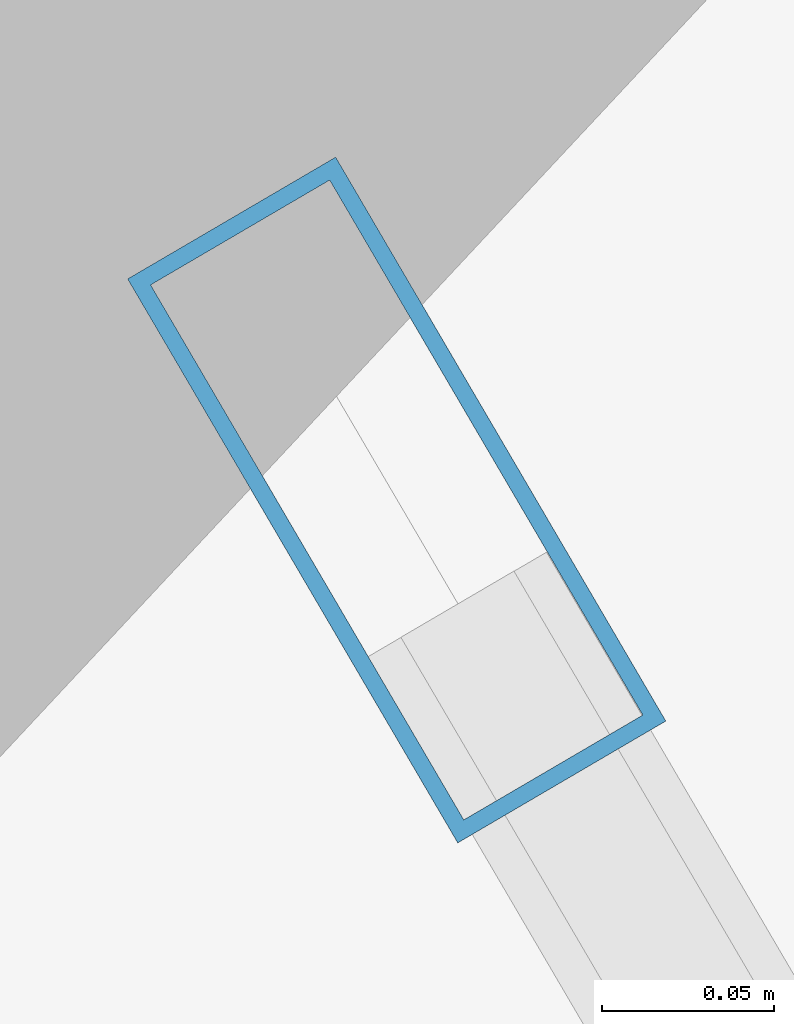
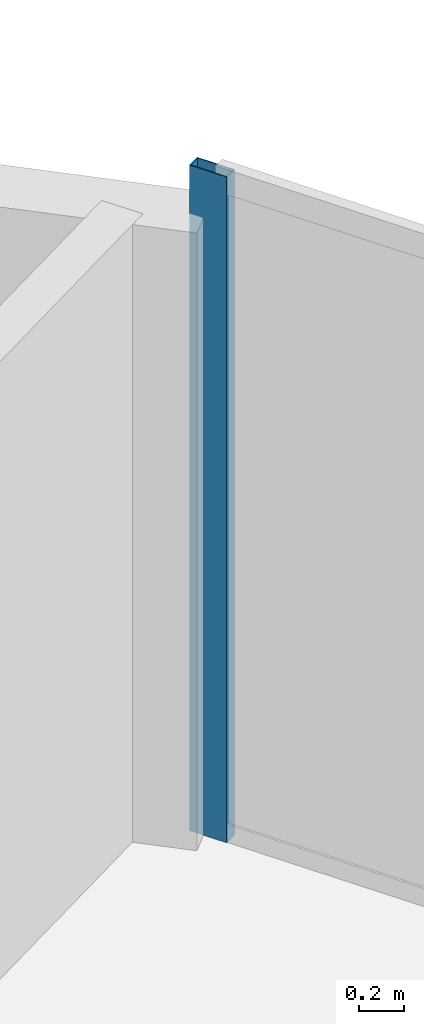
# One storey, part 16 of 23: 1 member, 1 element without a shape of its own.
"""IFC4 building model written with IfcOpenShell, lengths in metres."""

from ifc_helpers import new_model, si_unit, direction, frame, origin, origin_2d, place, context, subcontext, project, spatial, hollow_rectangle, extrude, source, transform, mapped, material, layer, layer_set, material_profile, profile_set, type_object, element, aggregate, save


model = new_model("IFC4")

# Units and contexts
model_context = context("Model", 3, precision=1e-05, world=origin(), true_north=direction((0.0, 1.0)))
body_context = subcontext(model_context, "Body", "Model", "MODEL_VIEW")
ifc_project = project(units=[si_unit("LENGTHUNIT", "METRE"), si_unit("AREAUNIT", "SQUARE_METRE"), si_unit("VOLUMEUNIT", "CUBIC_METRE"), si_unit("PLANEANGLEUNIT", "RADIAN"), si_unit("MASSUNIT", "GRAM", prefix="KILO")], contexts=[model_context])

# Site, building, storey
site_placement = place(None, origin())
site = spatial("IfcSite", under=ifc_project, at=site_placement, CompositionType="ELEMENT")
building_placement = place(site_placement, origin())
building = spatial("IfcBuilding", under=site, at=building_placement, Name="Solvirekh Grand Hotel", CompositionType="ELEMENT")
storey_placement = place(building_placement, frame((0.0, 0.0, 75.199951171875)))
storey = spatial("IfcBuildingStorey", under=building, at=storey_placement, Name="L18", CompositionType="ELEMENT", Elevation=75.199951171875)

# Curtain wall, member
ifc_material = material(Name="Anodized Bronze Aluminium 6063-T6", Category="aluminium")
ifc_layer = layer(ifc_material, 0.18994140625)
ifc_layer_set = layer_set([ifc_layer], Name="Anodized Bronze Aluminium 6063-T6")
curtain_wall_type = type_object("IfcCurtainWallType", Name="CW_Sys2_LowZoneFlushBronzeCW", PredefinedType="NOTDEFINED", material=ifc_layer_set)
curtain_wall_placement = place(storey_placement, origin())
curtain_wall = element("IfcCurtainWall", 1, at=curtain_wall_placement, inside=storey, type_object=curtain_wall_type, Name="L18 unitised bronze-glass curtain wall CW-L18-C03", PredefinedType="NOTDEFINED")
ifc_material_profile = material_profile(ifc_material, hollow_rectangle(XDim=0.070068359375, YDim=0.18994140625, WallThickness=0.0048828125, at=origin_2d()), Name="ALU RHS 190X70X5")
ifc_profile_set = profile_set([ifc_material_profile], Name="Anodized Bronze Aluminium 6063-T6")
member_type = type_object("IfcMemberType", Name="CWMullion_Sys2", PredefinedType="MULLION", material=ifc_profile_set)
shared_shape = source(origin(), body_context, "Body", "SweptSolid", [
    extrude(hollow_rectangle(XDim=0.070068359375, YDim=0.18994140625, WallThickness=0.0048828125, at=origin_2d()), origin(), (0.0, 0.0, 1.0), 3.60009765625),
])
member_placement = place(storey_placement, frame((19.961669921875, 11.0908203125, 0.0), z_axis=(0.0, 0.0, 1.0), x_axis=(-0.862996529302, -0.505209847898, 0.0)))
member = element("IfcMember", 2, at=member_placement, type_object=member_type, Name="U02 mullion 3", PredefinedType="MULLION", context=body_context, shape_type="MappedRepresentation", body=[
    mapped(shared_shape, transform((0.0, 0.0, 0.0), x_axis=(1.0, 0.0, 0.0), y_axis=(0.0, 1.0, 0.0), z_axis=(0.0, 0.0, 1.0), scale=1.0)),
])
aggregate(curtain_wall, [member])

save(model, "model.ifc")
